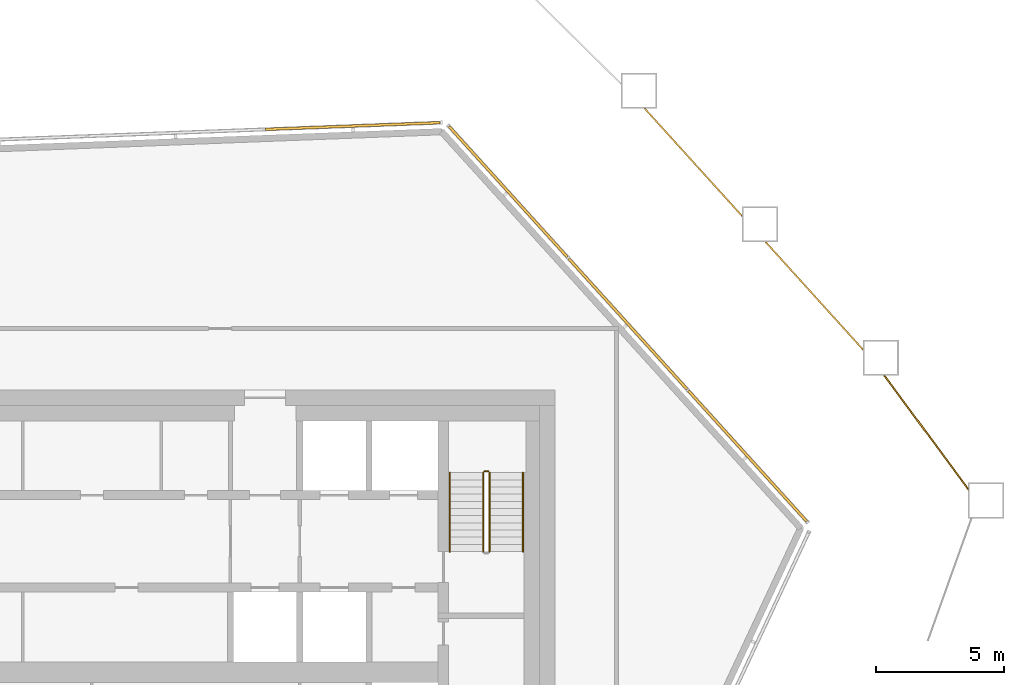
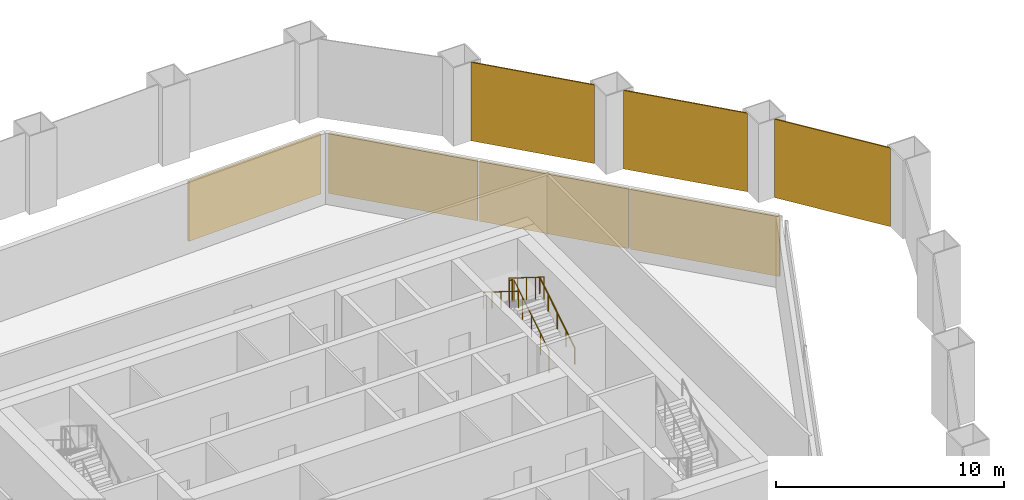
# One storey, part 17 of 18: 7 coverings, 5 railings, 2 elements without a shape of their own.
"""IFC4 building model written with IfcOpenShell, lengths in metres."""

from ifc_helpers import new_model, si_unit, direction, frame, origin, origin_2d, place, context, subcontext, project, spatial, polyline, rectangle, circle, outline, extrude, material, layer, layer_set, type_object, element, aggregate, save


model = new_model("IFC4")

# Units and contexts
model_context = context("Model", 3, precision=1e-05, world=origin(), true_north=direction((0.0, 1.0)))
body_context = subcontext(model_context, "Body", "Model", "MODEL_VIEW")
ifc_project = project(units=[si_unit("LENGTHUNIT", "METRE"), si_unit("AREAUNIT", "SQUARE_METRE"), si_unit("VOLUMEUNIT", "CUBIC_METRE"), si_unit("PLANEANGLEUNIT", "RADIAN"), si_unit("MASSUNIT", "GRAM", prefix="KILO")], contexts=[model_context])

# Site, building, storey
site_placement = place(None, origin())
site = spatial("IfcSite", under=ifc_project, at=site_placement, CompositionType="ELEMENT")
building_placement = place(site_placement, origin())
building = spatial("IfcBuilding", under=site, at=building_placement, Name="Dongbaek Canopy Tower", CompositionType="ELEMENT")
storey_placement = place(building_placement, frame((0.0, 0.0, 363.199951171875)))
storey = spatial("IfcBuildingStorey", under=building, at=storey_placement, Name="L78", CompositionType="ELEMENT", Elevation=363.199951171875)

# Coverings
ifc_material_1 = material(Name="Perforated pale metal")
ifc_layer_1 = layer(ifc_material_1, 0.06005859375)
ifc_layer_set_1 = layer_set([ifc_layer_1], Name="Crown plant screen")
covering_type_1 = type_object("IfcCoveringType", Name="Crown plant screen", PredefinedType="CLADDING", material=ifc_layer_set_1)
covering_1_placement = place(storey_placement, origin())
element("IfcCovering", 1, at=covering_1_placement, inside=storey, type_object=covering_type_1, Name="Crown plant screen 14 L78", PredefinedType="CLADDING", context=body_context, shape_type="SweptSolid", body=[
    extrude(outline(polyline([(30.10498046875, 7.19189453125), (30.10498046875, 7.0908203125), (26.809326171875, 11.556884765625), (26.884033203125, 11.556884765625), (30.10498046875, 7.19189453125)])), origin(), (0.0, 0.0, 1.0), 4.199951171875),
])
covering_2_placement = place(storey_placement, origin())
element("IfcCovering", 2, at=covering_2_placement, inside=storey, type_object=covering_type_1, Name="Crown plant screen 15 L78", PredefinedType="CLADDING", context=body_context, shape_type="SweptSolid", body=[
    extrude(outline(polyline([(26.0029296875, 12.627685546875), (26.0029296875, 12.538330078125), (22.1787109375, 16.761962890625), (22.259521484375, 16.761962890625), (26.0029296875, 12.627685546875)])), origin(), (0.0, 0.0, 1.0), 4.199951171875),
])
covering_3_placement = place(storey_placement, origin())
element("IfcCovering", 3, at=covering_3_placement, inside=storey, type_object=covering_type_1, Name="Crown plant screen 16 L78", PredefinedType="CLADDING", context=body_context, shape_type="SweptSolid", body=[
    extrude(outline(polyline([(21.2900390625, 17.83251953125), (21.2900390625, 17.7431640625), (17.46484375, 21.966064453125), (17.5458984375, 21.966064453125), (21.2900390625, 17.83251953125)])), origin(), (0.0, 0.0, 1.0), 4.199951171875),
])

# Curtain wall, coverings
ifc_material_2 = material(Name="Aluminium 6063-T6 pale anodised", Category="aluminium")
ifc_layer_2 = layer(ifc_material_2, 0.14990234375)
ifc_layer_set_2 = layer_set([ifc_layer_2], Name="CW-7 louvre curtain wall")
curtain_wall_type = type_object("IfcCurtainWallType", Name="CW-7 louvre curtain wall", PredefinedType="NOTDEFINED", material=ifc_layer_set_2)
curtain_wall_1_placement = place(storey_placement, origin())
curtain_wall_1 = element("IfcCurtainWall", 4, at=curtain_wall_1_placement, inside=storey, type_object=curtain_wall_type, Name="CW-7 louvre wall L78 F2", PredefinedType="NOTDEFINED")
ifc_material_3 = material(Name="Aluminium 6063-T6 pale metal louvre blades", Category="aluminium")
ifc_layer_3 = layer(ifc_material_3, 0.10009765625)
ifc_layer_set_3 = layer_set([ifc_layer_3], Name="Louvre LV bank 100 x 3200")
covering_type_2 = type_object("IfcCoveringType", Name="Louvre LV bank 100 x 3200", PredefinedType="CLADDING", material=ifc_layer_set_3)
covering_4_placement = place(storey_placement, frame((21.509033203125, 8.42529296875, 0.30029296875), z_axis=(0.0, 0.0, 1.0), x_axis=(-0.671259717142, 0.741222228581, 0.0)))
covering_4 = element("IfcCovering", 5, at=covering_4_placement, type_object=covering_type_2, Name="Louvre L78 F2.1.1", PredefinedType="CLADDING", context=body_context, shape_type="SweptSolid", body=[
    extrude(rectangle(XDim=6.86181640625, YDim=0.10009765625, at=origin_2d()), origin(), (0.0, 0.0, 1.0), 3.199951171875),
])
covering_5_placement = place(storey_placement, frame((16.842529296875, 13.578125, 0.30029296875), z_axis=(0.0, 0.0, 1.0), x_axis=(-0.671259717142, 0.741222228581, 0.0)))
covering_5 = element("IfcCovering", 6, at=covering_5_placement, type_object=covering_type_2, Name="Louvre L78 F2.1.2", PredefinedType="CLADDING", context=body_context, shape_type="SweptSolid", body=[
    extrude(rectangle(XDim=6.86181640625, YDim=0.10009765625, at=origin_2d()), origin(), (0.0, 0.0, 1.0), 3.199951171875),
])
covering_6_placement = place(storey_placement, frame((12.17578125, 18.73095703125, 0.30029296875), z_axis=(0.0, 0.0, 1.0), x_axis=(-0.671259717142, 0.741222228581, 0.0)))
covering_6 = element("IfcCovering", 7, at=covering_6_placement, type_object=covering_type_2, Name="Louvre L78 F2.1.3", PredefinedType="CLADDING", context=body_context, shape_type="SweptSolid", body=[
    extrude(rectangle(XDim=6.86181640625, YDim=0.10009765625, at=origin_2d()), origin(), (0.0, 0.0, 1.0), 3.199951171875),
])
aggregate(curtain_wall_1, [covering_4, covering_5, covering_6])

# Curtain wall, covering
curtain_wall_2_placement = place(storey_placement, origin())
curtain_wall_2 = element("IfcCurtainWall", 8, at=curtain_wall_2_placement, inside=storey, type_object=curtain_wall_type, Name="CW-7 louvre wall L78 F3", PredefinedType="NOTDEFINED")
covering_7_placement = place(storey_placement, frame((6.1162109375, 21.2900390625, 0.30029296875), z_axis=(0.0, 0.0, 1.0), x_axis=(-0.999268890611, -0.038231979514, 0.0)))
covering_7 = element("IfcCovering", 9, at=covering_7_placement, type_object=covering_type_2, Name="Louvre L78 F3.1.1", PredefinedType="CLADDING", context=body_context, shape_type="SweptSolid", body=[
    extrude(rectangle(XDim=6.822265625, YDim=0.10009765625, at=origin_2d()), origin(), (0.0, 0.0, 1.0), 3.199951171875),
])
aggregate(curtain_wall_2, [covering_7])

# Railings
ifc_material_4 = material(Name="Stainless steel tube and balusters", Category="steel")
railing_type_1 = type_object("IfcRailingType", Name="Stair guard 1200", PredefinedType="GUARDRAIL", material=ifc_material_4)
railing_1_placement = place(storey_placement, frame((11.449951171875, 4.699951171875, 0.175048828125)))
element("IfcRailing", 10, at=railing_1_placement, inside=storey, type_object=railing_type_1, Name="L78 ST-A stair guard 1", PredefinedType="GUARDRAIL", context=body_context, shape_type="SweptSolid", body=[
    extrude(circle(Radius=0.02392578125, at=origin_2d()), frame((0.0, 0.0, 1.17578125), z_axis=(0.0, 0.847998304005, 0.529998940003), x_axis=(-1.0, 0.0, 0.0)), (0.0, 0.0, 1.0), 3.632080078125),
    extrude(circle(Radius=0.02099609375, at=origin_2d()), origin(), (0.0, 0.0, 1.0), 1.15185546875),
    extrude(circle(Radius=0.02099609375, at=origin_2d()), frame((0.0, 0.77001953125, 0.481201171875)), (0.0, 0.0, 1.0), 1.15185546875),
    extrude(circle(Radius=0.02099609375, at=origin_2d()), frame((0.0, 1.5400390625, 0.96240234375)), (0.0, 0.0, 1.0), 1.15185546875),
    extrude(circle(Radius=0.02099609375, at=origin_2d()), frame((0.0, 2.31005859375, 1.44384765625)), (0.0, 0.0, 1.0), 1.15185546875),
    extrude(circle(Radius=0.02099609375, at=origin_2d()), frame((0.0, 3.080078125, 1.925048828125)), (0.0, 0.0, 1.0), 1.15185546875),
])
railing_2_placement = place(storey_placement, frame((11.39990234375, 7.830078125, 2.10009765625)))
element("IfcRailing", 11, at=railing_2_placement, inside=storey, type_object=railing_type_1, Name="L78 ST-A stair guard 2", PredefinedType="GUARDRAIL", context=body_context, shape_type="SweptSolid", body=[
    extrude(circle(Radius=0.02392578125, at=origin_2d()), frame((0.0, 0.0, 1.17578125), z_axis=(-1.0, 0.0, 0.0), x_axis=(0.0, -1.0, 0.0)), (0.0, 0.0, 1.0), 0.14990234375),
    extrude(circle(Radius=0.02099609375, at=origin_2d()), origin(), (0.0, 0.0, 1.0), 1.15185546875),
    extrude(circle(Radius=0.02099609375, at=origin_2d()), frame((-0.14990234375, 0.0, 0.0)), (0.0, 0.0, 1.0), 1.15185546875),
])
railing_3_placement = place(storey_placement, frame((11.199951171875, 7.780029296875, 2.275146484375)))
element("IfcRailing", 12, at=railing_3_placement, inside=storey, type_object=railing_type_1, Name="L78 ST-A stair guard 3", PredefinedType="GUARDRAIL", context=body_context, shape_type="SweptSolid", body=[
    extrude(circle(Radius=0.02392578125, at=origin_2d()), frame((0.0, 0.0, 1.17578125), z_axis=(0.0, -0.848028513186, 0.529950602248), x_axis=(1.0, 0.0, 0.0)), (0.0, 0.0, 1.0), 3.632080078125),
    extrude(circle(Radius=0.02099609375, at=origin_2d()), origin(), (0.0, 0.0, 1.0), 1.15185546875),
    extrude(circle(Radius=0.02099609375, at=origin_2d()), frame((0.0, -0.77001953125, 0.481201171875)), (0.0, 0.0, 1.0), 1.15185546875),
    extrude(circle(Radius=0.02099609375, at=origin_2d()), frame((0.0, -1.5400390625, 0.96240234375)), (0.0, 0.0, 1.0), 1.15185546875),
    extrude(circle(Radius=0.02099609375, at=origin_2d()), frame((0.0, -2.31005859375, 1.443603515625)), (0.0, 0.0, 1.0), 1.15185546875),
    extrude(circle(Radius=0.02099609375, at=origin_2d()), frame((0.0, -3.080078125, 1.9248046875)), (0.0, 0.0, 1.0), 1.15185546875),
])
ifc_material_5 = material(Name="Stainless steel tube", Category="steel")
railing_type_2 = type_object("IfcRailingType", Name="Stair handrail 900", PredefinedType="HANDRAIL", material=ifc_material_5)
railing_4_placement = place(storey_placement, frame((12.75, 4.699951171875, 0.175048828125)))
element("IfcRailing", 13, at=railing_4_placement, inside=storey, type_object=railing_type_2, Name="L78 ST-A stair handrail 1", PredefinedType="HANDRAIL", context=body_context, shape_type="SweptSolid", body=[
    extrude(circle(Radius=0.02392578125, at=origin_2d()), frame((0.0, 0.0, 0.8759765625), z_axis=(0.0, 0.847998304005, 0.529998940003), x_axis=(-1.0, 0.0, 0.0)), (0.0, 0.0, 1.0), 3.632080078125),
    extrude(circle(Radius=0.02099609375, at=origin_2d()), origin(), (0.0, 0.0, 1.0), 0.851806640625),
    extrude(circle(Radius=0.02099609375, at=origin_2d()), frame((0.0, 0.77001953125, 0.481201171875)), (0.0, 0.0, 1.0), 0.851806640625),
    extrude(circle(Radius=0.02099609375, at=origin_2d()), frame((0.0, 1.5400390625, 0.96240234375)), (0.0, 0.0, 1.0), 0.851806640625),
    extrude(circle(Radius=0.02099609375, at=origin_2d()), frame((0.0, 2.31005859375, 1.44384765625)), (0.0, 0.0, 1.0), 0.851806640625),
    extrude(circle(Radius=0.02099609375, at=origin_2d()), frame((0.0, 3.080078125, 1.925048828125)), (0.0, 0.0, 1.0), 0.851806640625),
])
railing_5_placement = place(storey_placement, frame((9.89990234375, 7.780029296875, 2.275146484375)))
element("IfcRailing", 14, at=railing_5_placement, inside=storey, type_object=railing_type_2, Name="L78 ST-A stair handrail 2", PredefinedType="HANDRAIL", context=body_context, shape_type="SweptSolid", body=[
    extrude(circle(Radius=0.02392578125, at=origin_2d()), frame((0.0, 0.0, 0.8759765625), z_axis=(0.0, -0.848028513186, 0.529950602248), x_axis=(1.0, 0.0, 0.0)), (0.0, 0.0, 1.0), 3.632080078125),
    extrude(circle(Radius=0.02099609375, at=origin_2d()), origin(), (0.0, 0.0, 1.0), 0.851806640625),
    extrude(circle(Radius=0.02099609375, at=origin_2d()), frame((0.0, -0.77001953125, 0.481201171875)), (0.0, 0.0, 1.0), 0.851806640625),
    extrude(circle(Radius=0.02099609375, at=origin_2d()), frame((0.0, -1.5400390625, 0.96240234375)), (0.0, 0.0, 1.0), 0.851806640625),
    extrude(circle(Radius=0.02099609375, at=origin_2d()), frame((0.0, -2.31005859375, 1.443603515625)), (0.0, 0.0, 1.0), 0.851806640625),
    extrude(circle(Radius=0.02099609375, at=origin_2d()), frame((0.0, -3.080078125, 1.9248046875)), (0.0, 0.0, 1.0), 0.851806640625),
])

save(model, "model.ifc")
